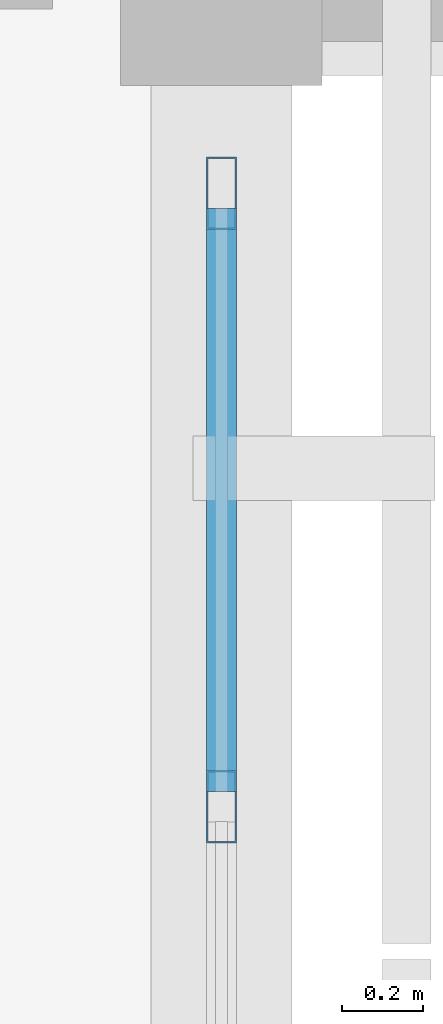
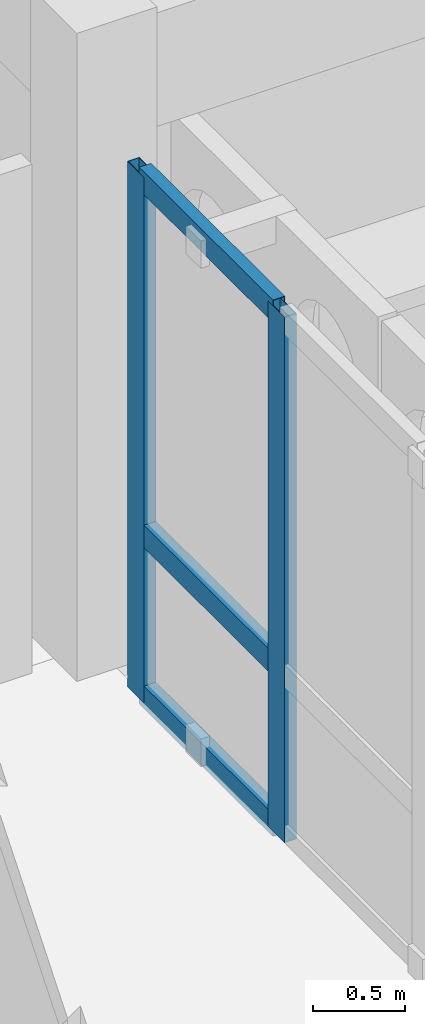
# One storey, part 55 of 171: 5 members, 1 element without a shape of its own.
"""IFC4 building model written with IfcOpenShell, lengths in metres."""

from ifc_helpers import new_model, si_unit, direction, frame, origin, origin_2d, place, context, subcontext, project, spatial, hollow_rectangle, extrude, material, material_profile, profile_set, type_object, element, aggregate, save


model = new_model("IFC4")

# Units and contexts
model_context = context("Model", 3, precision=1e-05, world=origin(), true_north=direction((0.0, 1.0)))
body_context = subcontext(model_context, "Body", "Model", "MODEL_VIEW")
ifc_project = project(units=[si_unit("LENGTHUNIT", "METRE"), si_unit("AREAUNIT", "SQUARE_METRE"), si_unit("VOLUMEUNIT", "CUBIC_METRE"), si_unit("PLANEANGLEUNIT", "RADIAN"), si_unit("MASSUNIT", "GRAM", prefix="KILO")], contexts=[model_context])

# Site, building, storey
site_placement = place(None, origin())
site = spatial("IfcSite", under=ifc_project, at=site_placement, CompositionType="ELEMENT")
building_placement = place(site_placement, origin())
building = spatial("IfcBuilding", under=site, at=building_placement, Name="Aldebral Square Health Centre", CompositionType="ELEMENT")
storey_placement = place(building_placement, frame((0.0, 0.0, 4.5)))
storey = spatial("IfcBuildingStorey", under=building, at=storey_placement, Name="L01", CompositionType="ELEMENT", Elevation=4.5)

# Curtain wall, members
ifc_material_1 = material(Name="Aluminium and low-E solar glass", Category="aluminium")
curtain_wall_type = type_object("IfcCurtainWallType", Name="CW-HALL-SYS", PredefinedType="USERDEFINED", material=ifc_material_1)
curtain_wall_placement = place(storey_placement, origin())
curtain_wall = element("IfcCurtainWall", 1, at=curtain_wall_placement, inside=storey, type_object=curtain_wall_type, Name="L01 V1 hall curtain wall L01-V1-14-12-E", ObjectType="HALL_CURTAIN_WALL", PredefinedType="USERDEFINED")
ifc_material_2 = material(Name="Anodised aluminium mullion", Category="aluminium")
ifc_material_profile_1 = material_profile(ifc_material_2, hollow_rectangle(XDim=0.074951171875, YDim=0.179931640625, WallThickness=0.00390625, at=origin_2d()), Name="CWM 75x180x4")
ifc_profile_set_1 = profile_set([ifc_material_profile_1], Name="Anodised aluminium mullion")
member_type_1 = type_object("IfcMemberType", Name="CWM-STD", PredefinedType="MULLION", material=ifc_profile_set_1)
member_1_placement = place(storey_placement, frame((108.0, 91.56005859375, 0.0), z_axis=(0.0, 0.0, 1.0), x_axis=(-1.0, 0.0, 0.0)))
member_1 = element("IfcMember", 2, at=member_1_placement, type_object=member_type_1, Name="CW2 mullion 4", PredefinedType="MULLION", context=body_context, shape_type="SweptSolid", body=[
    extrude(hollow_rectangle(XDim=0.074951171875, YDim=0.179931640625, WallThickness=0.00390625, at=origin_2d()), origin(), (0.0, 0.0, 1.0), 3.469970703125),
])
member_2_placement = place(storey_placement, frame((108.0, 93.08251953125, 0.0), z_axis=(0.0, 0.0, 1.0), x_axis=(-1.0, 0.0, 0.0)))
member_2 = element("IfcMember", 3, at=member_2_placement, type_object=member_type_1, Name="CW2 mullion 5", PredefinedType="MULLION", context=body_context, shape_type="SweptSolid", body=[
    extrude(hollow_rectangle(XDim=0.074951171875, YDim=0.179931640625, WallThickness=0.00390625, at=origin_2d()), origin(), (0.0, 0.0, 1.0), 3.469970703125),
])
ifc_material_3 = material(Name="Anodised aluminium transom", Category="aluminium")
ifc_material_profile_2 = material_profile(ifc_material_3, hollow_rectangle(XDim=0.074951171875, YDim=0.14990234375, WallThickness=0.00390625, at=origin_2d()), Name="CWT 75x150x4")
ifc_profile_set_2 = profile_set([ifc_material_profile_2], Name="Anodised aluminium transom")
member_type_2 = type_object("IfcMemberType", Name="CWT-STD", PredefinedType="USERDEFINED", material=ifc_profile_set_2)
member_3_placement = place(storey_placement, frame((108.0, 91.597412109375, 0.03759765625), z_axis=(0.0, 1.0, 0.0), x_axis=(-1.0, 0.0, 0.0)))
member_3 = element("IfcMember", 4, at=member_3_placement, type_object=member_type_2, Name="CW2 transom 4.1", ObjectType="TRANSOM", PredefinedType="USERDEFINED", context=body_context, shape_type="SweptSolid", body=[
    extrude(hollow_rectangle(XDim=0.074951171875, YDim=0.14990234375, WallThickness=0.00390625, at=origin_2d()), origin(), (0.0, 0.0, 1.0), 1.447509765625),
])
member_4_placement = place(storey_placement, frame((108.0, 91.597412109375, 1.10009765625), z_axis=(0.0, 1.0, 0.0), x_axis=(-1.0, 0.0, 0.0)))
member_4 = element("IfcMember", 5, at=member_4_placement, type_object=member_type_2, Name="CW2 transom 4.2", ObjectType="TRANSOM", PredefinedType="USERDEFINED", context=body_context, shape_type="SweptSolid", body=[
    extrude(hollow_rectangle(XDim=0.074951171875, YDim=0.14990234375, WallThickness=0.00390625, at=origin_2d()), origin(), (0.0, 0.0, 1.0), 1.447509765625),
])
member_5_placement = place(storey_placement, frame((108.0, 91.597412109375, 3.4326171875), z_axis=(0.0, 1.0, 0.0), x_axis=(-1.0, 0.0, 0.0)))
member_5 = element("IfcMember", 6, at=member_5_placement, type_object=member_type_2, Name="CW2 transom 4.3", ObjectType="TRANSOM", PredefinedType="USERDEFINED", context=body_context, shape_type="SweptSolid", body=[
    extrude(hollow_rectangle(XDim=0.074951171875, YDim=0.14990234375, WallThickness=0.00390625, at=origin_2d()), origin(), (0.0, 0.0, 1.0), 1.447509765625),
])
aggregate(curtain_wall, [member_1, member_2, member_3, member_4, member_5])

save(model, "model.ifc")
